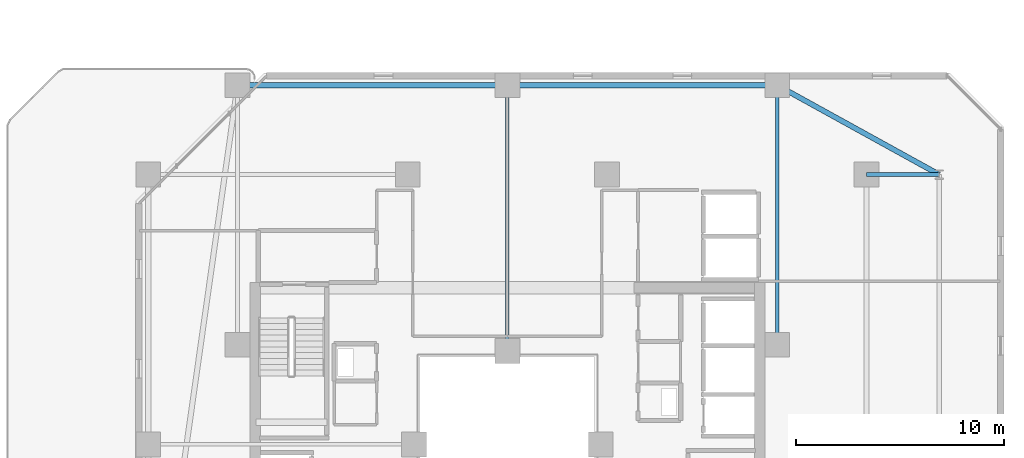
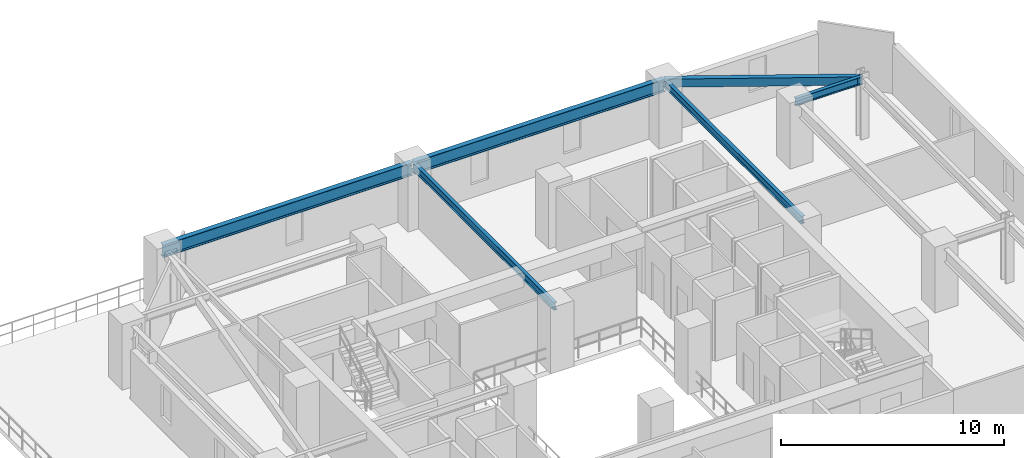
# One storey, part 15 of 31: 6 beams.
"""IFC4 building model written with IfcOpenShell, lengths in metres."""

from ifc_helpers import new_model, si_unit, direction, frame, origin, origin_2d, place, context, subcontext, project, spatial, hollow_rectangle, i_section, extrude, material, material_profile, profile_set, type_object, element, save


model = new_model("IFC4")

# Units and contexts
model_context = context("Model", 3, precision=1e-05, world=origin(), true_north=direction((0.0, 1.0)))
body_context = subcontext(model_context, "Body", "Model", "MODEL_VIEW")
ifc_project = project(units=[si_unit("LENGTHUNIT", "METRE"), si_unit("AREAUNIT", "SQUARE_METRE"), si_unit("VOLUMEUNIT", "CUBIC_METRE"), si_unit("PLANEANGLEUNIT", "RADIAN"), si_unit("MASSUNIT", "GRAM", prefix="KILO")], contexts=[model_context])

# Site, building, storey
site_placement = place(None, origin())
site = spatial("IfcSite", under=ifc_project, at=site_placement, CompositionType="ELEMENT")
building_placement = place(site_placement, origin())
building = spatial("IfcBuilding", under=site, at=building_placement, Name="Thornwick Lancets Civic Towers", CompositionType="ELEMENT")
storey_placement = place(building_placement, frame((0.0, 0.0, 119.699951171875)))
storey = spatial("IfcBuildingStorey", under=building, at=storey_placement, Name="L31", CompositionType="ELEMENT", Elevation=119.699951171875)

# Beams
ifc_material = material(Name="Steel S355JR", Category="steel")
ifc_material_profile_1 = material_profile(ifc_material, i_section(OverallWidth=0.255859375, OverallDepth=0.69287109375, WebThickness=0.014404296875, FlangeThickness=0.023681640625, FilletRadius=0.01513671875, at=origin_2d()), Name="UKB 686x254x170")
ifc_profile_set_1 = profile_set([ifc_material_profile_1], Name="Steel S355JR")
beam_type_1 = type_object("IfcBeamType", Name="BM_GIRD_686_170", PredefinedType="BEAM", material=ifc_profile_set_1)
beam_1_placement = place(storey_placement, frame((101.5, 44.300048828125, 2.99365234375), z_axis=(-1.0, 0.0, 0.0), x_axis=(0.0, -1.0, 0.0)))
element("IfcBeam", 1, at=beam_1_placement, inside=storey, type_object=beam_type_1, Name="BM-SPINE-L31-B-3-4", PredefinedType="BEAM", context=body_context, shape_type="SweptSolid", body=[
    extrude(i_section(OverallWidth=0.255859375, OverallDepth=0.69287109375, WebThickness=0.014404296875, FlangeThickness=0.023681640625, FilletRadius=0.01513671875, at=origin_2d()), origin(), (0.0, 0.0, 1.0), 13.0),
])
beam_2_placement = place(storey_placement, frame((88.419921875, 44.300048828125, 2.99365234375), z_axis=(-1.0, 0.0, 0.0), x_axis=(0.0, -1.0, 0.0)))
element("IfcBeam", 2, at=beam_2_placement, inside=storey, type_object=beam_type_1, Name="BM-SPINE-L31-B-4-5", PredefinedType="BEAM", context=body_context, shape_type="SweptSolid", body=[
    extrude(i_section(OverallWidth=0.255859375, OverallDepth=0.69287109375, WebThickness=0.014404296875, FlangeThickness=0.023681640625, FilletRadius=0.01513671875, at=origin_2d()), origin(), (0.0, 0.0, 1.0), 12.919921875),
])
ifc_material_profile_2 = material_profile(ifc_material, i_section(OverallWidth=0.179443359375, OverallDepth=0.412841796875, WebThickness=0.009521484375, FlangeThickness=0.01611328125, FilletRadius=0.01025390625, at=origin_2d()), Name="UKB 406x178x74")
ifc_profile_set_2 = profile_set([ifc_material_profile_2], Name="Steel S355JR")
beam_type_2 = type_object("IfcBeamType", Name="BM_JOIST_406_74", PredefinedType="JOIST", material=ifc_profile_set_2)
beam_3_placement = place(storey_placement, frame((105.800048828125, 40.0, 3.133544921875), z_axis=(1.0, 0.0, 0.0), x_axis=(0.0, 1.0, 0.0)))
element("IfcBeam", 3, at=beam_3_placement, inside=storey, type_object=beam_type_2, Name="BM-RAD-L31-B03", PredefinedType="JOIST", context=body_context, shape_type="SweptSolid", body=[
    extrude(i_section(OverallWidth=0.179443359375, OverallDepth=0.412841796875, WebThickness=0.009521484375, FlangeThickness=0.01611328125, FilletRadius=0.01025390625, at=origin_2d()), origin(), (0.0, 0.0, 1.0), 3.5),
])
beam_4_placement = place(storey_placement, frame((101.5, 31.800048828125, 3.133544921875), z_axis=(0.0, 1.0, 0.0), x_axis=(-1.0, 0.0, 0.0)))
element("IfcBeam", 4, at=beam_4_placement, inside=storey, type_object=beam_type_2, Name="BM-RADIN-L31-B04", PredefinedType="JOIST", context=body_context, shape_type="SweptSolid", body=[
    extrude(i_section(OverallWidth=0.179443359375, OverallDepth=0.412841796875, WebThickness=0.009521484375, FlangeThickness=0.01611328125, FilletRadius=0.01025390625, at=origin_2d()), origin(), (0.0, 0.0, 1.0), 12.5),
])
beam_5_placement = place(storey_placement, frame((88.5, 31.5, 3.133544921875), z_axis=(0.0, 1.0, 0.0), x_axis=(-1.0, 0.0, 0.0)))
element("IfcBeam", 5, at=beam_5_placement, inside=storey, type_object=beam_type_2, Name="BM-RADIN-L31-B05", PredefinedType="JOIST", context=body_context, shape_type="SweptSolid", body=[
    extrude(i_section(OverallWidth=0.179443359375, OverallDepth=0.412841796875, WebThickness=0.009521484375, FlangeThickness=0.01611328125, FilletRadius=0.01025390625, at=origin_2d()), origin(), (0.0, 0.0, 1.0), 12.800048828125),
])
ifc_material_profile_3 = material_profile(ifc_material, hollow_rectangle(XDim=0.25, YDim=0.449951171875, WallThickness=0.01611328125, at=origin_2d()), Name="RHS 450x250x16")
ifc_profile_set_3 = profile_set([ifc_material_profile_3], Name="Steel S355JR")
beam_type_3 = type_object("IfcBeamType", Name="BM_RING_RHS450", PredefinedType="BEAM", material=ifc_profile_set_3)
beam_6_placement = place(storey_placement, frame((109.300048828125, 40.0, 3.114990234375), z_axis=(-0.875740348708, 0.482782395749, 0.0), x_axis=(-0.482782395749, -0.875740348708, 0.0)))
element("IfcBeam", 6, at=beam_6_placement, inside=storey, type_object=beam_type_3, Name="BM-CHAMF-L31-B-C0", PredefinedType="BEAM", context=body_context, shape_type="SweptSolid", body=[
    extrude(hollow_rectangle(XDim=0.25, YDim=0.449951171875, WallThickness=0.01611328125, at=origin_2d()), origin(), (0.0, 0.0, 1.0), 8.90673828125),
])

save(model, "model.ifc")
